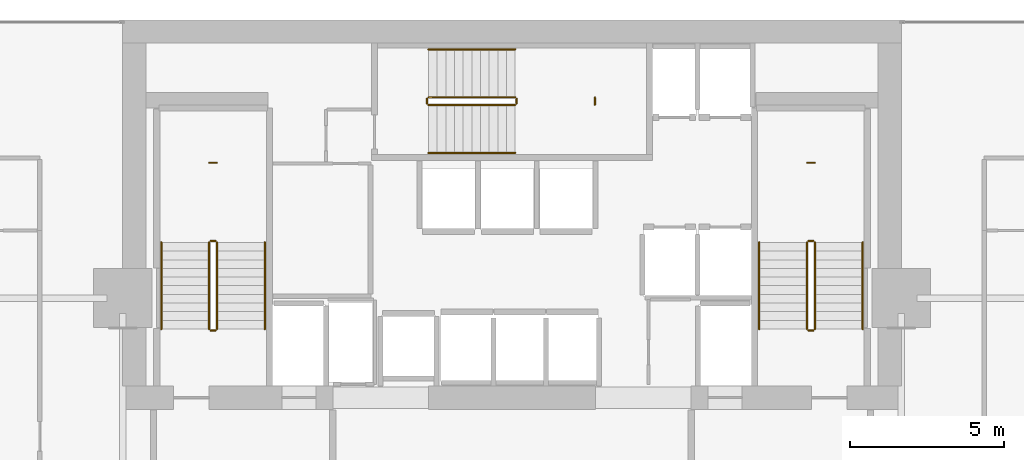
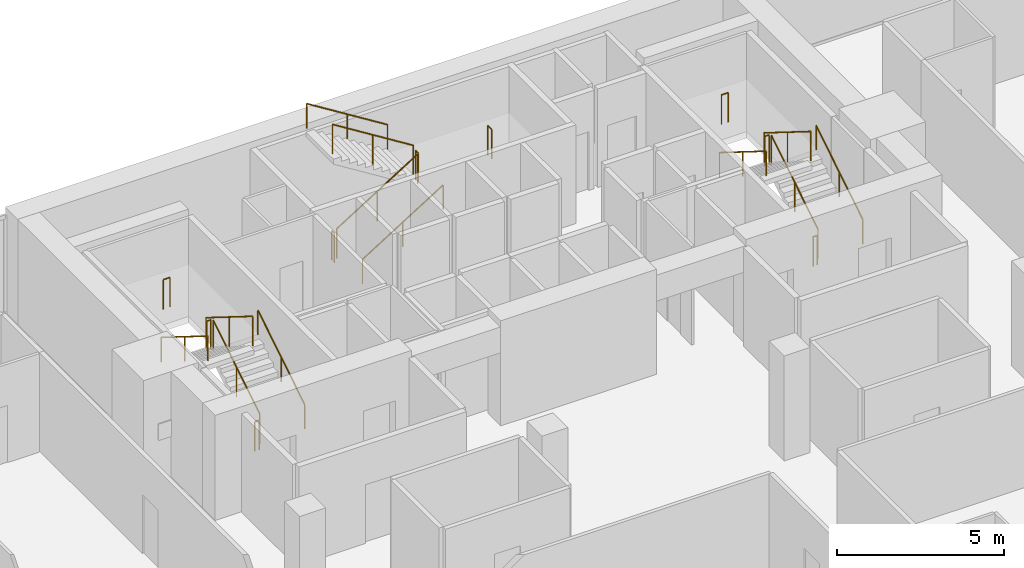
# One storey, part 33 of 33: 21 railings.
"""IFC4 building model written with IfcOpenShell, lengths in metres."""

from ifc_helpers import new_model, si_unit, direction, frame, origin, origin_2d, place, context, subcontext, project, spatial, circle, extrude, material, type_object, element, save


model = new_model("IFC4")

# Units and contexts
model_context = context("Model", 3, precision=1e-05, world=origin(), true_north=direction((0.0, 1.0)))
body_context = subcontext(model_context, "Body", "Model", "MODEL_VIEW")
ifc_project = project(units=[si_unit("LENGTHUNIT", "METRE"), si_unit("AREAUNIT", "SQUARE_METRE"), si_unit("VOLUMEUNIT", "CUBIC_METRE"), si_unit("PLANEANGLEUNIT", "RADIAN"), si_unit("MASSUNIT", "GRAM", prefix="KILO")], contexts=[model_context])

# Site, building, storey
site_placement = place(None, origin())
site = spatial("IfcSite", under=ifc_project, at=site_placement, CompositionType="ELEMENT")
building_placement = place(site_placement, origin())
building = spatial("IfcBuilding", under=site, at=building_placement, Name="Maruvema Waterfront Hotel and Observation Tower", CompositionType="ELEMENT")
storey_placement = place(building_placement, frame((0.0, 0.0, 200.550048828125)))
storey = spatial("IfcBuildingStorey", under=building, at=storey_placement, Name="L49", CompositionType="ELEMENT", Elevation=200.550048828125)

# Railings
ifc_material_1 = material(Name="Brushed stainless steel Grade 316", Category="steel")
railing_type_1 = type_object("IfcRailingType", Name="Ramp Continuous Wall Handrail 920 mm", PredefinedType="HANDRAIL", material=ifc_material_1)
railing_1_placement = place(storey_placement, frame((29.800048828125, 44.0, 0.175048828125)))
element("IfcRailing", 1, at=railing_1_placement, inside=storey, type_object=railing_type_1, Name="L49 ST-01 stair handrail 1", PredefinedType="HANDRAIL", context=body_context, shape_type="SweptSolid", body=[
    extrude(circle(Radius=0.02392578125, at=origin_2d()), frame((0.0, 0.0, 0.89599609375), z_axis=(0.0, 0.848002457836, 0.529992293815), x_axis=(-1.0, 0.0, 0.0)), (0.0, 0.0, 1.0), 3.302001953125),
    extrude(circle(Radius=0.02099609375, at=origin_2d()), origin(), (0.0, 0.0, 1.0), 0.871826171875),
    extrude(circle(Radius=0.02099609375, at=origin_2d()), frame((0.0, 1.39990234375, 0.875)), (0.0, 0.0, 1.0), 0.871826171875),
    extrude(circle(Radius=0.02099609375, at=origin_2d()), frame((0.0, 2.800048828125, 1.75)), (0.0, 0.0, 1.0), 0.871826171875),
])
railing_2_placement = place(storey_placement, frame((26.449951171875, 46.800048828125, 2.099853515625)))
element("IfcRailing", 2, at=railing_2_placement, inside=storey, type_object=railing_type_1, Name="L49 ST-01 stair handrail 2", PredefinedType="HANDRAIL", context=body_context, shape_type="SweptSolid", body=[
    extrude(circle(Radius=0.02392578125, at=origin_2d()), frame((0.0, 0.0, 0.89599609375), z_axis=(0.0, -0.848002457836, 0.529992293815), x_axis=(1.0, 0.0, 0.0)), (0.0, 0.0, 1.0), 3.302001953125),
    extrude(circle(Radius=0.02099609375, at=origin_2d()), origin(), (0.0, 0.0, 1.0), 0.871826171875),
    extrude(circle(Radius=0.02099609375, at=origin_2d()), frame((0.0, -1.39990234375, 0.875)), (0.0, 0.0, 1.0), 0.871826171875),
    extrude(circle(Radius=0.02099609375, at=origin_2d()), frame((0.0, -2.800048828125, 1.75)), (0.0, 0.0, 1.0), 0.871826171875),
])
railing_3_placement = place(storey_placement, frame((35.10009765625, 49.699951171875, 0.175048828125)))
element("IfcRailing", 3, at=railing_3_placement, inside=storey, type_object=railing_type_1, Name="L49 ST-02 stair handrail 1", PredefinedType="HANDRAIL", context=body_context, shape_type="SweptSolid", body=[
    extrude(circle(Radius=0.02392578125, at=origin_2d()), frame((0.0, 0.0, 0.89599609375), z_axis=(0.847981687118, 0.0, 0.530025526095), x_axis=(0.0, 1.0, 0.0)), (0.0, 0.0, 1.0), 3.3017578125),
    extrude(circle(Radius=0.02099609375, at=origin_2d()), origin(), (0.0, 0.0, 1.0), 0.871826171875),
    extrude(circle(Radius=0.02099609375, at=origin_2d()), frame((1.39990234375, 0.0, 0.875)), (0.0, 0.0, 1.0), 0.871826171875),
    extrude(circle(Radius=0.02099609375, at=origin_2d()), frame((2.7998046875, 0.0, 1.75)), (0.0, 0.0, 1.0), 0.871826171875),
])
railing_4_placement = place(storey_placement, frame((37.89990234375, 53.050048828125, 2.099853515625)))
element("IfcRailing", 4, at=railing_4_placement, inside=storey, type_object=railing_type_1, Name="L49 ST-02 stair handrail 2", PredefinedType="HANDRAIL", context=body_context, shape_type="SweptSolid", body=[
    extrude(circle(Radius=0.02392578125, at=origin_2d()), frame((0.0, 0.0, 0.89599609375), z_axis=(-0.847981687118, 0.0, 0.530025526095), x_axis=(0.0, -1.0, 0.0)), (0.0, 0.0, 1.0), 3.3017578125),
    extrude(circle(Radius=0.02099609375, at=origin_2d()), origin(), (0.0, 0.0, 1.0), 0.871826171875),
    extrude(circle(Radius=0.02099609375, at=origin_2d()), frame((-1.39990234375, 0.0, 0.875)), (0.0, 0.0, 1.0), 0.871826171875),
    extrude(circle(Radius=0.02099609375, at=origin_2d()), frame((-2.7998046875, 0.0, 1.75)), (0.0, 0.0, 1.0), 0.871826171875),
])
railing_5_placement = place(storey_placement, frame((49.14990234375, 44.0, 0.175048828125)))
element("IfcRailing", 5, at=railing_5_placement, inside=storey, type_object=railing_type_1, Name="L49 ST-03 stair handrail 1", PredefinedType="HANDRAIL", context=body_context, shape_type="SweptSolid", body=[
    extrude(circle(Radius=0.02392578125, at=origin_2d()), frame((0.0, 0.0, 0.89599609375), z_axis=(0.0, 0.848002457836, 0.529992293815), x_axis=(-1.0, 0.0, 0.0)), (0.0, 0.0, 1.0), 3.302001953125),
    extrude(circle(Radius=0.02099609375, at=origin_2d()), origin(), (0.0, 0.0, 1.0), 0.871826171875),
    extrude(circle(Radius=0.02099609375, at=origin_2d()), frame((0.0, 1.39990234375, 0.875)), (0.0, 0.0, 1.0), 0.871826171875),
    extrude(circle(Radius=0.02099609375, at=origin_2d()), frame((0.0, 2.800048828125, 1.75)), (0.0, 0.0, 1.0), 0.871826171875),
])
railing_6_placement = place(storey_placement, frame((45.800048828125, 46.800048828125, 2.099853515625)))
element("IfcRailing", 6, at=railing_6_placement, inside=storey, type_object=railing_type_1, Name="L49 ST-03 stair handrail 2", PredefinedType="HANDRAIL", context=body_context, shape_type="SweptSolid", body=[
    extrude(circle(Radius=0.02392578125, at=origin_2d()), frame((0.0, 0.0, 0.89599609375), z_axis=(0.0, -0.848002457836, 0.529992293815), x_axis=(1.0, 0.0, 0.0)), (0.0, 0.0, 1.0), 3.302001953125),
    extrude(circle(Radius=0.02099609375, at=origin_2d()), origin(), (0.0, 0.0, 1.0), 0.871826171875),
    extrude(circle(Radius=0.02099609375, at=origin_2d()), frame((0.0, -1.39990234375, 0.875)), (0.0, 0.0, 1.0), 0.871826171875),
    extrude(circle(Radius=0.02099609375, at=origin_2d()), frame((0.0, -2.800048828125, 1.75)), (0.0, 0.0, 1.0), 0.871826171875),
])
ifc_material_2 = material(Name="Brushed stainless steel Grade 316", Category="steel")
railing_type_2 = type_object("IfcRailingType", Name="Ramp and Terrace Guard Balustrade 1100 mm", PredefinedType="BALUSTRADE", material=ifc_material_2)
railing_7_placement = place(storey_placement, frame((28.25, 44.0, 0.175048828125)))
element("IfcRailing", 7, at=railing_7_placement, inside=storey, type_object=railing_type_2, Name="L49 ST-01 stair guard 1", PredefinedType="BALUSTRADE", context=body_context, shape_type="SweptSolid", body=[
    extrude(circle(Radius=0.02392578125, at=origin_2d()), frame((0.0, 0.0, 1.076171875), z_axis=(0.0, 0.848002457836, 0.529992293815), x_axis=(-1.0, 0.0, 0.0)), (0.0, 0.0, 1.0), 3.302001953125),
    extrude(circle(Radius=0.02099609375, at=origin_2d()), origin(), (0.0, 0.0, 1.0), 1.052001953125),
    extrude(circle(Radius=0.02099609375, at=origin_2d()), frame((0.0, 1.39990234375, 0.875)), (0.0, 0.0, 1.0), 1.052001953125),
    extrude(circle(Radius=0.02099609375, at=origin_2d()), frame((0.0, 2.800048828125, 1.75)), (0.0, 0.0, 1.0), 1.052001953125),
])
railing_8_placement = place(storey_placement, frame((28.199951171875, 46.85009765625, 1.925048828125)))
element("IfcRailing", 8, at=railing_8_placement, inside=storey, type_object=railing_type_2, Name="L49 ST-01 stair guard 2", PredefinedType="BALUSTRADE", context=body_context, shape_type="SweptSolid", body=[
    extrude(circle(Radius=0.02392578125, at=origin_2d()), frame((0.0, 0.0, 1.076171875), z_axis=(-1.0, 0.0, 0.0), x_axis=(0.0, -1.0, 0.0)), (0.0, 0.0, 1.0), 0.14990234375),
    extrude(circle(Radius=0.02099609375, at=origin_2d()), origin(), (0.0, 0.0, 1.0), 1.052001953125),
    extrude(circle(Radius=0.02099609375, at=origin_2d()), frame((-0.14990234375, 0.0, 0.0)), (0.0, 0.0, 1.0), 1.052001953125),
])
railing_9_placement = place(storey_placement, frame((28.0, 46.800048828125, 2.099853515625)))
element("IfcRailing", 9, at=railing_9_placement, inside=storey, type_object=railing_type_2, Name="L49 ST-01 stair guard 3", PredefinedType="BALUSTRADE", context=body_context, shape_type="SweptSolid", body=[
    extrude(circle(Radius=0.02392578125, at=origin_2d()), frame((0.0, 0.0, 1.076171875), z_axis=(0.0, -0.848002457836, 0.529992293815), x_axis=(1.0, 0.0, 0.0)), (0.0, 0.0, 1.0), 3.302001953125),
    extrude(circle(Radius=0.02099609375, at=origin_2d()), origin(), (0.0, 0.0, 1.0), 1.052001953125),
    extrude(circle(Radius=0.02099609375, at=origin_2d()), frame((0.0, -1.39990234375, 0.875)), (0.0, 0.0, 1.0), 1.052001953125),
    extrude(circle(Radius=0.02099609375, at=origin_2d()), frame((0.0, -2.800048828125, 1.75)), (0.0, 0.0, 1.0), 1.052001953125),
])
railing_10_placement = place(storey_placement, frame((28.199951171875, 43.949951171875, 0.0)))
element("IfcRailing", 10, at=railing_10_placement, inside=storey, type_object=railing_type_2, Name="L49 ST-01 stair guard 4", PredefinedType="BALUSTRADE", context=body_context, shape_type="SweptSolid", body=[
    extrude(circle(Radius=0.02392578125, at=origin_2d()), frame((0.0, 0.0, 1.076171875), z_axis=(-1.0, 0.0, 0.0), x_axis=(0.0, -1.0, 0.0)), (0.0, 0.0, 1.0), 0.14990234375),
    extrude(circle(Radius=0.02099609375, at=origin_2d()), origin(), (0.0, 0.0, 1.0), 1.052001953125),
    extrude(circle(Radius=0.02099609375, at=origin_2d()), frame((-0.14990234375, 0.0, 0.0)), (0.0, 0.0, 1.0), 1.052001953125),
])
railing_11_placement = place(storey_placement, frame((28.239990234375, 49.3798828125, 1.925048828125)))
element("IfcRailing", 11, at=railing_11_placement, inside=storey, type_object=railing_type_2, Name="L49 ST-01 Half-Landing Slot Guard", PredefinedType="BALUSTRADE", context=body_context, shape_type="SweptSolid", body=[
    extrude(circle(Radius=0.02392578125, at=origin_2d()), frame((0.0, 0.0, 1.076171875), z_axis=(-1.0, 0.0, 0.0), x_axis=(0.0, -1.0, 0.0)), (0.0, 0.0, 1.0), 0.22998046875),
    extrude(circle(Radius=0.02099609375, at=origin_2d()), origin(), (0.0, 0.0, 1.0), 1.052001953125),
    extrude(circle(Radius=0.02099609375, at=origin_2d()), frame((-0.22998046875, 0.0, 0.0)), (0.0, 0.0, 1.0), 1.052001953125),
])
railing_12_placement = place(storey_placement, frame((35.10009765625, 51.25, 0.175048828125)))
element("IfcRailing", 12, at=railing_12_placement, inside=storey, type_object=railing_type_2, Name="L49 ST-02 stair guard 1", PredefinedType="BALUSTRADE", context=body_context, shape_type="SweptSolid", body=[
    extrude(circle(Radius=0.02392578125, at=origin_2d()), frame((0.0, 0.0, 1.076171875), z_axis=(0.847981687118, 0.0, 0.530025526095), x_axis=(0.0, 1.0, 0.0)), (0.0, 0.0, 1.0), 3.3017578125),
    extrude(circle(Radius=0.02099609375, at=origin_2d()), origin(), (0.0, 0.0, 1.0), 1.052001953125),
    extrude(circle(Radius=0.02099609375, at=origin_2d()), frame((1.39990234375, 0.0, 0.875)), (0.0, 0.0, 1.0), 1.052001953125),
    extrude(circle(Radius=0.02099609375, at=origin_2d()), frame((2.7998046875, 0.0, 1.75)), (0.0, 0.0, 1.0), 1.052001953125),
])
railing_13_placement = place(storey_placement, frame((37.949951171875, 51.300048828125, 1.925048828125)))
element("IfcRailing", 13, at=railing_13_placement, inside=storey, type_object=railing_type_2, Name="L49 ST-02 stair guard 2", PredefinedType="BALUSTRADE", context=body_context, shape_type="SweptSolid", body=[
    extrude(circle(Radius=0.02392578125, at=origin_2d()), frame((0.0, 0.0, 1.076171875), z_axis=(0.0, 1.0, 0.0), x_axis=(-1.0, 0.0, 0.0)), (0.0, 0.0, 1.0), 0.14990234375),
    extrude(circle(Radius=0.02099609375, at=origin_2d()), origin(), (0.0, 0.0, 1.0), 1.052001953125),
    extrude(circle(Radius=0.02099609375, at=origin_2d()), frame((0.0, 0.14990234375, 0.0)), (0.0, 0.0, 1.0), 1.052001953125),
])
railing_14_placement = place(storey_placement, frame((37.89990234375, 51.5, 2.099853515625)))
element("IfcRailing", 14, at=railing_14_placement, inside=storey, type_object=railing_type_2, Name="L49 ST-02 stair guard 3", PredefinedType="BALUSTRADE", context=body_context, shape_type="SweptSolid", body=[
    extrude(circle(Radius=0.02392578125, at=origin_2d()), frame((0.0, 0.0, 1.076171875), z_axis=(-0.847981687118, 0.0, 0.530025526095), x_axis=(0.0, -1.0, 0.0)), (0.0, 0.0, 1.0), 3.3017578125),
    extrude(circle(Radius=0.02099609375, at=origin_2d()), origin(), (0.0, 0.0, 1.0), 1.052001953125),
    extrude(circle(Radius=0.02099609375, at=origin_2d()), frame((-1.39990234375, 0.0, 0.875)), (0.0, 0.0, 1.0), 1.052001953125),
    extrude(circle(Radius=0.02099609375, at=origin_2d()), frame((-2.7998046875, 0.0, 1.75)), (0.0, 0.0, 1.0), 1.052001953125),
])
railing_15_placement = place(storey_placement, frame((35.050048828125, 51.300048828125, 0.0)))
element("IfcRailing", 15, at=railing_15_placement, inside=storey, type_object=railing_type_2, Name="L49 ST-02 stair guard 4", PredefinedType="BALUSTRADE", context=body_context, shape_type="SweptSolid", body=[
    extrude(circle(Radius=0.02392578125, at=origin_2d()), frame((0.0, 0.0, 1.076171875), z_axis=(0.0, 1.0, 0.0), x_axis=(-1.0, 0.0, 0.0)), (0.0, 0.0, 1.0), 0.14990234375),
    extrude(circle(Radius=0.02099609375, at=origin_2d()), origin(), (0.0, 0.0, 1.0), 1.052001953125),
    extrude(circle(Radius=0.02099609375, at=origin_2d()), frame((0.0, 0.14990234375, 0.0)), (0.0, 0.0, 1.0), 1.052001953125),
])
railing_16_placement = place(storey_placement, frame((40.47998046875, 51.260009765625, 1.925048828125)))
element("IfcRailing", 16, at=railing_16_placement, inside=storey, type_object=railing_type_2, Name="L49 ST-02 Half-Landing Slot Guard", PredefinedType="BALUSTRADE", context=body_context, shape_type="SweptSolid", body=[
    extrude(circle(Radius=0.02392578125, at=origin_2d()), frame((0.0, 0.0, 1.076171875), z_axis=(0.0, 1.0, 0.0), x_axis=(-1.0, 0.0, 0.0)), (0.0, 0.0, 1.0), 0.22998046875),
    extrude(circle(Radius=0.02099609375, at=origin_2d()), origin(), (0.0, 0.0, 1.0), 1.052001953125),
    extrude(circle(Radius=0.02099609375, at=origin_2d()), frame((0.0, 0.22998046875, 0.0)), (0.0, 0.0, 1.0), 1.052001953125),
])
railing_17_placement = place(storey_placement, frame((47.60009765625, 44.0, 0.175048828125)))
element("IfcRailing", 17, at=railing_17_placement, inside=storey, type_object=railing_type_2, Name="L49 ST-03 stair guard 1", PredefinedType="BALUSTRADE", context=body_context, shape_type="SweptSolid", body=[
    extrude(circle(Radius=0.02392578125, at=origin_2d()), frame((0.0, 0.0, 1.076171875), z_axis=(0.0, 0.848002457836, 0.529992293815), x_axis=(-1.0, 0.0, 0.0)), (0.0, 0.0, 1.0), 3.302001953125),
    extrude(circle(Radius=0.02099609375, at=origin_2d()), origin(), (0.0, 0.0, 1.0), 1.052001953125),
    extrude(circle(Radius=0.02099609375, at=origin_2d()), frame((0.0, 1.39990234375, 0.875)), (0.0, 0.0, 1.0), 1.052001953125),
    extrude(circle(Radius=0.02099609375, at=origin_2d()), frame((0.0, 2.800048828125, 1.75)), (0.0, 0.0, 1.0), 1.052001953125),
])
railing_18_placement = place(storey_placement, frame((47.550048828125, 46.85009765625, 1.925048828125)))
element("IfcRailing", 18, at=railing_18_placement, inside=storey, type_object=railing_type_2, Name="L49 ST-03 stair guard 2", PredefinedType="BALUSTRADE", context=body_context, shape_type="SweptSolid", body=[
    extrude(circle(Radius=0.02392578125, at=origin_2d()), frame((0.0, 0.0, 1.076171875), z_axis=(-1.0, 0.0, 0.0), x_axis=(0.0, -1.0, 0.0)), (0.0, 0.0, 1.0), 0.150146484375),
    extrude(circle(Radius=0.02099609375, at=origin_2d()), origin(), (0.0, 0.0, 1.0), 1.052001953125),
    extrude(circle(Radius=0.02099609375, at=origin_2d()), frame((-0.150146484375, 0.0, 0.0)), (0.0, 0.0, 1.0), 1.052001953125),
])
railing_19_placement = place(storey_placement, frame((47.35009765625, 46.800048828125, 2.099853515625)))
element("IfcRailing", 19, at=railing_19_placement, inside=storey, type_object=railing_type_2, Name="L49 ST-03 stair guard 3", PredefinedType="BALUSTRADE", context=body_context, shape_type="SweptSolid", body=[
    extrude(circle(Radius=0.02392578125, at=origin_2d()), frame((0.0, 0.0, 1.076171875), z_axis=(0.0, -0.848002457836, 0.529992293815), x_axis=(1.0, 0.0, 0.0)), (0.0, 0.0, 1.0), 3.302001953125),
    extrude(circle(Radius=0.02099609375, at=origin_2d()), origin(), (0.0, 0.0, 1.0), 1.052001953125),
    extrude(circle(Radius=0.02099609375, at=origin_2d()), frame((0.0, -1.39990234375, 0.875)), (0.0, 0.0, 1.0), 1.052001953125),
    extrude(circle(Radius=0.02099609375, at=origin_2d()), frame((0.0, -2.800048828125, 1.75)), (0.0, 0.0, 1.0), 1.052001953125),
])
railing_20_placement = place(storey_placement, frame((47.550048828125, 43.949951171875, 0.0)))
element("IfcRailing", 20, at=railing_20_placement, inside=storey, type_object=railing_type_2, Name="L49 ST-03 stair guard 4", PredefinedType="BALUSTRADE", context=body_context, shape_type="SweptSolid", body=[
    extrude(circle(Radius=0.02392578125, at=origin_2d()), frame((0.0, 0.0, 1.076171875), z_axis=(-1.0, 0.0, 0.0), x_axis=(0.0, -1.0, 0.0)), (0.0, 0.0, 1.0), 0.150146484375),
    extrude(circle(Radius=0.02099609375, at=origin_2d()), origin(), (0.0, 0.0, 1.0), 1.052001953125),
    extrude(circle(Radius=0.02099609375, at=origin_2d()), frame((-0.150146484375, 0.0, 0.0)), (0.0, 0.0, 1.0), 1.052001953125),
])
railing_21_placement = place(storey_placement, frame((47.590087890625, 49.3798828125, 1.925048828125)))
element("IfcRailing", 21, at=railing_21_placement, inside=storey, type_object=railing_type_2, Name="L49 ST-03 Half-Landing Slot Guard", PredefinedType="BALUSTRADE", context=body_context, shape_type="SweptSolid", body=[
    extrude(circle(Radius=0.02392578125, at=origin_2d()), frame((0.0, 0.0, 1.076171875), z_axis=(-1.0, 0.0, 0.0), x_axis=(0.0, -1.0, 0.0)), (0.0, 0.0, 1.0), 0.22998046875),
    extrude(circle(Radius=0.02099609375, at=origin_2d()), origin(), (0.0, 0.0, 1.0), 1.052001953125),
    extrude(circle(Radius=0.02099609375, at=origin_2d()), frame((-0.22998046875, 0.0, 0.0)), (0.0, 0.0, 1.0), 1.052001953125),
])

save(model, "model.ifc")
